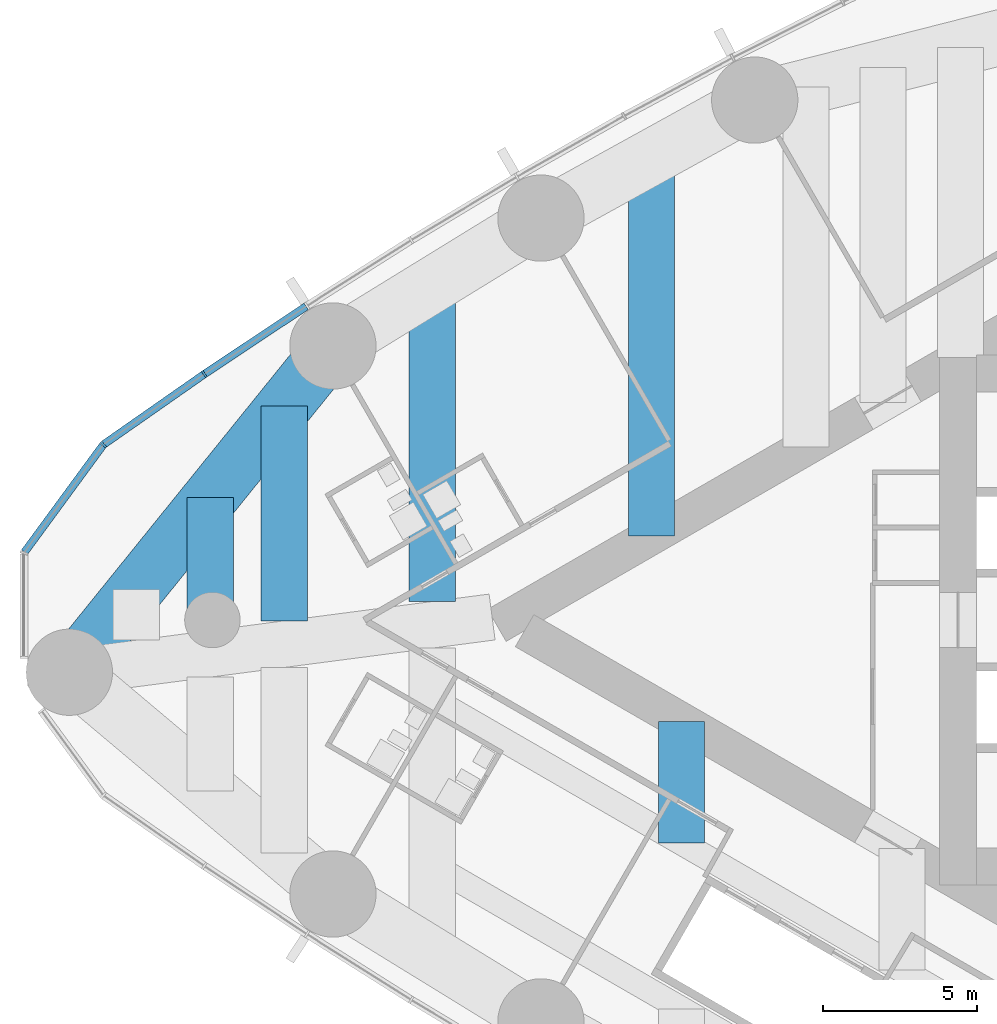
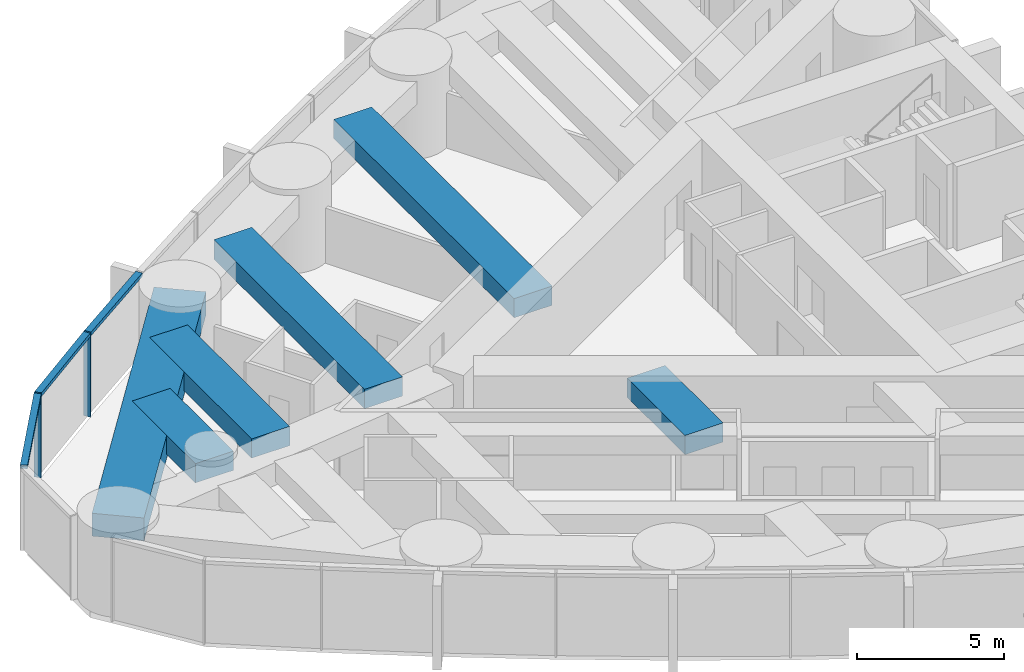
# One storey, part 3 of 19: 6 beams, 5 members, 1 element without a shape of its own.
"""IFC4 building model written with IfcOpenShell, lengths in metres."""

import ifcopenshell
import ifcopenshell.guid

model = None  # the IFC model being written
_history = None  # IfcOwnerHistory: only IFC2X3 demands one
_inside = {}  # id of a spatial element -> (the spatial element, [elements in it])
_under = {}  # id of a project, library or spatial element -> (it, [spatial elements below it])
_declared = {}  # id of a project -> (the project, [libraries it declares])
_typed = {}  # id of a type object -> (the type object, [elements of that type])
_made_of = {}  # id of a material, layer set ... -> (it, [elements and type objects made of it])


def new_model(schema):
    """Start an empty IFC model of exactly this schema.

    Asked for "IFC4X3", IfcOpenShell would pick the latest addendum, in which some entities
    have other attributes; the version numbers below select the first issue.
    IFC2X3 requires an IfcOwnerHistory on every rooted entity: one is made here for all.
    """
    global model, _history
    if schema == "IFC4X3":
        model = ifcopenshell.file(schema_version=(4, 3, 0, 0))
    else:
        model = ifcopenshell.file(schema=schema)
    _inside.clear()
    _under.clear()
    _declared.clear()
    _typed.clear()
    _made_of.clear()
    _history = None
    if model.schema == "IFC2X3":
        org = make("IfcOrganization", Name="unknown")
        user = make(
            "IfcPersonAndOrganization",
            ThePerson=make("IfcPerson", FamilyName="unknown"),
            TheOrganization=org,
        )
        app = make(
            "IfcApplication",
            ApplicationDeveloper=org,
            Version="unknown",
            ApplicationFullName="unknown",
            ApplicationIdentifier="unknown",
        )
        _history = make(
            "IfcOwnerHistory",
            OwningUser=user,
            OwningApplication=app,
            ChangeAction="ADDED",
            CreationDate=0,
        )
    return model


def make(cls, **values):
    """One entity of the class cls with the attributes given. An attribute that is None is left unset."""
    return model.create_entity(
        cls, **{name: value for name, value in values.items() if value is not None}
    )


def rooted(cls, **values):
    """An entity with a GlobalId (a new one), such as an element, a storey or a relation."""
    return make(cls, GlobalId=ifcopenshell.guid.new(), OwnerHistory=_history, **values)


def si_unit(unit_type, name, prefix=None):
    """IfcSIUnit, for example si_unit("LENGTHUNIT", "METRE", prefix="MILLI")."""
    return make("IfcSIUnit", UnitType=unit_type, Prefix=prefix, Name=name)


def assignment(units):
    """IfcUnitAssignment: the units of a project."""
    return None if units is None else make("IfcUnitAssignment", Units=units)


def point(xyz):
    """IfcCartesianPoint."""
    return None if xyz is None else make("IfcCartesianPoint", Coordinates=xyz)


def direction(xyz):
    """IfcDirection."""
    return None if xyz is None else make("IfcDirection", DirectionRatios=xyz)


def frame(location, z_axis=None, x_axis=None):
    """IfcAxis2Placement3D, a coordinate frame: its origin and axes. An axis left out is left unset."""
    return make(
        "IfcAxis2Placement3D",
        Location=point(location),
        Axis=direction(z_axis),
        RefDirection=direction(x_axis),
    )


def frame_2d(location, x_axis=None):
    """IfcAxis2Placement2D, a coordinate frame in the plane: its origin and x axis."""
    return make(
        "IfcAxis2Placement2D", Location=point(location), RefDirection=direction(x_axis)
    )


def origin():
    """The frame at (0, 0, 0) with its axes left unset."""
    return frame((0.0, 0.0, 0.0))


def origin_2d():
    """The frame at (0, 0) in the plane with its x axis left unset."""
    return frame_2d((0.0, 0.0))


def place(relative_to, where):
    """IfcLocalPlacement: puts the frame where relative to a parent placement (None: the world)."""
    return make(
        "IfcLocalPlacement", PlacementRelTo=relative_to, RelativePlacement=where
    )


def context(
    kind, dimensions, precision=None, world=None, true_north=None, identifier=None
):
    """IfcGeometricRepresentationContext, for example the 3D "Model" context."""
    return make(
        "IfcGeometricRepresentationContext",
        ContextIdentifier=identifier,
        ContextType=kind,
        CoordinateSpaceDimension=dimensions,
        Precision=precision,
        WorldCoordinateSystem=world,
        TrueNorth=true_north,
    )


def subcontext(parent, identifier, kind, view, scale=None):
    """IfcGeometricRepresentationSubContext, for example "Body" below "Model"."""
    return make(
        "IfcGeometricRepresentationSubContext",
        ContextIdentifier=identifier,
        ContextType=kind,
        ParentContext=parent,
        TargetScale=scale,
        TargetView=view,
    )


def project(units=None, contexts=None):
    """IfcProject with its units and contexts."""
    return rooted(
        "IfcProject",
        Name="project",
        RepresentationContexts=contexts,
        UnitsInContext=assignment(units),
    )


def spatial(cls, under=None, at=None, **own):
    """A site, building, storey or space (cls), placed at a placement, below another one or the project."""
    s = rooted(cls, ObjectPlacement=at, **own)
    if under is not None:
        _under.setdefault(under.id(), (under, []))[1].append(s)
    return s


def profile(cls, at=None, kind="AREA", **sizes):
    """A parametric profile (cls). Its sizes go by their IFC names, for example OverallWidth=200.0."""
    return make(cls, ProfileType=kind, Position=at, **sizes)


def rectangle(**sizes):
    """IfcRectangleProfileDef."""
    return profile("IfcRectangleProfileDef", **sizes)


def extrude(swept, where, along, depth):
    """IfcExtrudedAreaSolid: the profile swept, set in the frame where, extruded along a direction by depth."""
    return make(
        "IfcExtrudedAreaSolid",
        SweptArea=swept,
        Position=where,
        ExtrudedDirection=direction(along),
        Depth=depth,
    )


def shape(context_of_items, identifier, shape_type, items):
    """IfcShapeRepresentation: the items that make up one representation, for example the "Body"."""
    return make(
        "IfcShapeRepresentation",
        ContextOfItems=context_of_items,
        RepresentationIdentifier=identifier,
        RepresentationType=shape_type,
        Items=items,
    )


def material(Name=None, Category=None):
    """IfcMaterial."""
    return make("IfcMaterial", Name=Name, Category=Category)


def material_profile(
    of_material, cross_section, Name=None, Category=None, Priority=None
):
    """IfcMaterialProfile: a cross section and its material."""
    return make(
        "IfcMaterialProfile",
        Name=Name,
        Material=of_material,
        Profile=cross_section,
        Priority=Priority,
        Category=Category,
    )


def profile_set(profiles, Name=None, composite=None):
    """IfcMaterialProfileSet."""
    return make(
        "IfcMaterialProfileSet",
        Name=Name,
        MaterialProfiles=profiles,
        CompositeProfile=composite,
    )


def made_of(thing, what):
    """Note that an element or type object is made of a material, layer set ...; save() writes the relation."""
    if what is not None:
        _made_of.setdefault(what.id(), (what, []))[1].append(thing)
    return thing


def type_object(cls, material=None, **own):
    """A type object (cls), such as IfcWallType, which elements share."""
    return made_of(rooted(cls, **own), material)


def element(
    cls,
    number,
    at=None,
    inside=None,
    cuts=None,
    type_object=None,
    material=None,
    context=None,
    identifier="Body",
    shape_type=None,
    held_by="IfcProductDefinitionShape",
    body=None,
    shapes=None,
    **own,
):
    """One element of the class cls, such as IfcWall. Its Tag is "e" and its number.

    at: its placement. inside: the storey or other place that contains it. cuts: it is an
    opening in that element (IfcRelVoidsElement). A single representation is given by context,
    identifier, shape_type and body (its items); several are given by shapes. held_by: the class
    of the entity that holds the representations. save() writes the other relations.
    """
    e = rooted(cls, Tag="e%d" % number, ObjectPlacement=at, **own)
    if body is not None:
        shapes = [shape(context, identifier, shape_type, body)]
    if shapes is not None:
        e.Representation = make(held_by, Representations=shapes)
    if inside is not None:
        _inside.setdefault(inside.id(), (inside, []))[1].append(e)
    if cuts is not None:
        rooted(
            "IfcRelVoidsElement", RelatingBuildingElement=cuts, RelatedOpeningElement=e
        )
    if type_object is not None:
        _typed.setdefault(type_object.id(), (type_object, []))[1].append(e)
    return made_of(e, material)


def aggregate(whole, parts):
    """IfcRelAggregates: a whole, such as a stair, and the parts it consists of."""
    return rooted("IfcRelAggregates", RelatingObject=whole, RelatedObjects=parts)


def save(model, path):
    """Write the relations noted so far, then the file.

    IfcRelAggregates (storeys below a building ...), IfcRelContainedInSpatialStructure (elements
    in a storey), IfcRelDefinesByType, IfcRelAssociatesMaterial and IfcRelDeclares: one each for
    every whole, place, type object, material and project.
    """
    for whole, parts in _under.values():
        aggregate(whole, parts)
    for where, things in _inside.values():
        rooted(
            "IfcRelContainedInSpatialStructure",
            RelatedElements=things,
            RelatingStructure=where,
        )
    for kind, things in _typed.values():
        rooted("IfcRelDefinesByType", RelatedObjects=things, RelatingType=kind)
    for what, things in _made_of.values():
        rooted("IfcRelAssociatesMaterial", RelatedObjects=things, RelatingMaterial=what)
    for by, libraries in _declared.values():
        rooted("IfcRelDeclares", RelatingContext=by, RelatedDefinitions=libraries)
    model.write(path)


model = new_model("IFC4")

# Units and contexts
model_context = context("Model", 3, precision=1e-05, world=origin(), true_north=direction((0.0, 1.0)))
body_context = subcontext(model_context, "Body", "Model", "MODEL_VIEW")
ifc_project = project(units=[si_unit("LENGTHUNIT", "METRE"), si_unit("AREAUNIT", "SQUARE_METRE"), si_unit("VOLUMEUNIT", "CUBIC_METRE"), si_unit("PLANEANGLEUNIT", "RADIAN"), si_unit("MASSUNIT", "GRAM", prefix="KILO")], contexts=[model_context])

# Site, building, storey
site_placement = place(None, origin())
site = spatial("IfcSite", under=ifc_project, at=site_placement, CompositionType="ELEMENT")
building_placement = place(site_placement, origin())
building = spatial("IfcBuilding", under=site, at=building_placement, Name="Lancet Gate Hotel", CompositionType="ELEMENT")
storey_placement = place(building_placement, frame((0.0, 0.0, 163.300048828125)))
storey = spatial("IfcBuildingStorey", under=building, at=storey_placement, Name="L43", CompositionType="ELEMENT", Elevation=163.300048828125)

# Curtain wall, members
ifc_material_1 = material(Name="Aluminium curtain wall", Category="aluminium")
curtain_wall_type = type_object("IfcCurtainWallType", Name="Tower unitised curtain wall", PredefinedType="USERDEFINED", material=ifc_material_1)
curtain_wall_placement = place(storey_placement, origin())
curtain_wall = element("IfcCurtainWall", 1, at=curtain_wall_placement, inside=storey, type_object=curtain_wall_type, Name="T1 L43 curtain wall 2", ObjectType="UNITISED CURTAIN WALL", PredefinedType="USERDEFINED")
ifc_material_2 = material(Name="Aluminium mullion", Category="aluminium")
ifc_material_profile_1 = material_profile(ifc_material_2, rectangle(XDim=0.06494140625, YDim=0.25, at=origin_2d()), Name="MULLION 65x250")
ifc_profile_set_1 = profile_set([ifc_material_profile_1], Name="Aluminium mullion")
member_type_1 = type_object("IfcMemberType", Name="Aluminium mullion 65x250", PredefinedType="MULLION", material=ifc_profile_set_1)
member_1_placement = place(storey_placement, frame((-61.7626953125, 7.980712890625, 0.0), z_axis=(0.0, 0.0, 1.0), x_axis=(-0.826312172542, -0.563212387568, 0.0)))
member_1 = element("IfcMember", 2, at=member_1_placement, type_object=member_type_1, Name="T1 L43 curtain wall 2 mullion 10", PredefinedType="MULLION", context=body_context, shape_type="SweptSolid", body=[
    extrude(rectangle(XDim=0.06494140625, YDim=0.25, at=origin_2d()), origin(), (0.0, 0.0, 1.0), 3.5),
])
member_2_placement = place(storey_placement, frame((-65.040283203125, 5.68994140625, 0.0), z_axis=(0.0, 0.0, 1.0), x_axis=(-0.710112861968, -0.704087866155, 0.0)))
member_2 = element("IfcMember", 3, at=member_2_placement, type_object=member_type_1, Name="T1 L43 curtain wall 2 mullion 11", PredefinedType="MULLION", context=body_context, shape_type="SweptSolid", body=[
    extrude(rectangle(XDim=0.06494140625, YDim=0.25, at=origin_2d()), origin(), (0.0, 0.0, 1.0), 3.5),
])
ifc_material_3 = material(Name="Aluminium transom", Category="aluminium")
ifc_material_profile_2 = material_profile(ifc_material_3, rectangle(XDim=0.25, YDim=0.14990234375, at=origin_2d()), Name="TRANSOM 250x150")
ifc_profile_set_2 = profile_set([ifc_material_profile_2], Name="Aluminium transom")
member_type_2 = type_object("IfcMemberType", Name="Aluminium transom 250x150", PredefinedType="USERDEFINED", material=ifc_profile_set_2)
member_3_placement = place(storey_placement, frame((-58.459228515625, 10.176025390625, 3.425048828125), z_axis=(-0.832870509189, -0.553467898729, 0.0), x_axis=(0.553467898729, -0.832870509189, 0.0)))
member_3 = element("IfcMember", 4, at=member_3_placement, type_object=member_type_2, Name="T1 L43 curtain wall 2 transom 9", ObjectType="TRANSOM", PredefinedType="USERDEFINED", context=body_context, shape_type="SweptSolid", body=[
    extrude(rectangle(XDim=0.25, YDim=0.14990234375, at=origin_2d()), origin(), (0.0, 0.0, 1.0), 3.933837890625),
])
member_4_placement = place(storey_placement, frame((-61.789306640625, 7.962158203125, 3.425048828125), z_axis=(-0.819636985462, -0.572883244704, 0.0), x_axis=(0.572883244704, -0.819636985462, 0.0)))
member_4 = element("IfcMember", 5, at=member_4_placement, type_object=member_type_2, Name="T1 L43 curtain wall 2 transom 10", ObjectType="TRANSOM", PredefinedType="USERDEFINED", context=body_context, shape_type="SweptSolid", body=[
    extrude(rectangle(XDim=0.25, YDim=0.14990234375, at=origin_2d()), origin(), (0.0, 0.0, 1.0), 3.933837890625),
])
member_5_placement = place(storey_placement, frame((-65.0595703125, 5.66357421875, 3.425048828125), z_axis=(-0.591324189618, -0.806433941977, 0.0), x_axis=(0.806433941977, -0.591324189618, 0.0)))
member_5 = element("IfcMember", 6, at=member_5_placement, type_object=member_type_2, Name="T1 L43 curtain wall 2 transom 11", ObjectType="TRANSOM", PredefinedType="USERDEFINED", context=body_context, shape_type="SweptSolid", body=[
    extrude(rectangle(XDim=0.25, YDim=0.14990234375, at=origin_2d()), origin(), (0.0, 0.0, 1.0), 4.2900390625),
])
aggregate(curtain_wall, [member_1, member_2, member_3, member_4, member_5])

# Beams
ifc_material_4 = material(Name="Concrete C50/60", Category="concrete")
ifc_material_profile_3 = material_profile(ifc_material_4, rectangle(XDim=1.800048828125, YDim=0.949951171875, at=origin_2d()), Name="RC 1800x950")
ifc_profile_set_3 = profile_set([ifc_material_profile_3], Name="Concrete C50/60")
beam_type_1 = type_object("IfcBeamType", Name="Edge beam RC 1800x950", PredefinedType="SPANDREL", material=ifc_profile_set_3)
beam_1_placement = place(storey_placement, frame((-57.589599609375, 8.89306640625, 2.77490234375), z_axis=(-0.628373846765, -0.777911504416, 0.0), x_axis=(0.777911504416, -0.628373846765, 0.0)))
element("IfcBeam", 7, at=beam_1_placement, inside=storey, type_object=beam_type_1, Name="T1 edge beam EB1 L43", PredefinedType="SPANDREL", context=body_context, shape_type="SweptSolid", body=[
    extrude(rectangle(XDim=1.800048828125, YDim=0.949951171875, at=origin_2d()), origin(), (0.0, 0.0, 1.0), 13.611328125),
])
ifc_material_5 = material(Name="Concrete C50/60", Category="concrete")
ifc_material_profile_4 = material_profile(ifc_material_5, rectangle(XDim=1.5, YDim=0.800048828125, at=origin_2d()), Name="RC 1500x800")
ifc_profile_set_4 = profile_set([ifc_material_profile_4], Name="Concrete C50/60")
beam_type_2 = type_object("IfcBeamType", Name="Floor beam RC 1500x800", PredefinedType="BEAM", material=ifc_profile_set_4)
beam_2_placement = place(storey_placement, frame((-47.254638671875, 15.020751953125, 2.849853515625), z_axis=(0.0, -1.0, 0.0), x_axis=(1.0, 0.0, 0.0)))
element("IfcBeam", 8, at=beam_2_placement, inside=storey, type_object=beam_type_2, Name="T1 floor beam F09S L43", PredefinedType="BEAM", context=body_context, shape_type="SweptSolid", body=[
    extrude(rectangle(XDim=1.5, YDim=0.800048828125, at=origin_2d()), origin(), (0.0, 0.0, 1.0), 12.29931640625),
])
beam_3_placement = place(storey_placement, frame((-54.3681640625, 10.87353515625, 2.849853515625), z_axis=(0.0, -1.0, 0.0), x_axis=(1.0, 0.0, 0.0)))
element("IfcBeam", 9, at=beam_3_placement, inside=storey, type_object=beam_type_2, Name="T1 floor beam F10S L43", PredefinedType="BEAM", context=body_context, shape_type="SweptSolid", body=[
    extrude(rectangle(XDim=1.5, YDim=0.800048828125, at=origin_2d()), origin(), (0.0, 0.0, 1.0), 10.27392578125),
])
beam_4_placement = place(storey_placement, frame((-59.168212890625, 6.938720703125, 2.849853515625), z_axis=(0.0, -1.0, 0.0), x_axis=(1.0, 0.0, 0.0)))
element("IfcBeam", 10, at=beam_4_placement, inside=storey, type_object=beam_type_2, Name="T1 floor beam F12S L43", PredefinedType="BEAM", context=body_context, shape_type="SweptSolid", body=[
    extrude(rectangle(XDim=1.5, YDim=0.800048828125, at=origin_2d()), origin(), (0.0, 0.0, 1.0), 6.96630859375),
])
beam_5_placement = place(storey_placement, frame((-61.568359375, 3.967529296875, 2.849853515625), z_axis=(0.0, -1.0, 0.0), x_axis=(1.0, 0.0, 0.0)))
element("IfcBeam", 11, at=beam_5_placement, inside=storey, type_object=beam_type_2, Name="T1 floor beam F14S L43", PredefinedType="BEAM", context=body_context, shape_type="SweptSolid", body=[
    extrude(rectangle(XDim=1.5, YDim=0.800048828125, at=origin_2d()), origin(), (0.0, 0.0, 1.0), 4.308837890625),
])
beam_6_placement = place(storey_placement, frame((-46.27587890625, -3.28662109375, 2.849853515625), z_axis=(0.0, -1.0, 0.0), x_axis=(1.0, 0.0, 0.0)))
element("IfcBeam", 12, at=beam_6_placement, inside=storey, type_object=beam_type_2, Name="T1 floor beam F08NA L43", PredefinedType="BEAM", context=body_context, shape_type="SweptSolid", body=[
    extrude(rectangle(XDim=1.5, YDim=0.800048828125, at=origin_2d()), origin(), (0.0, 0.0, 1.0), 3.945556640625),
])

save(model, "model.ifc")
